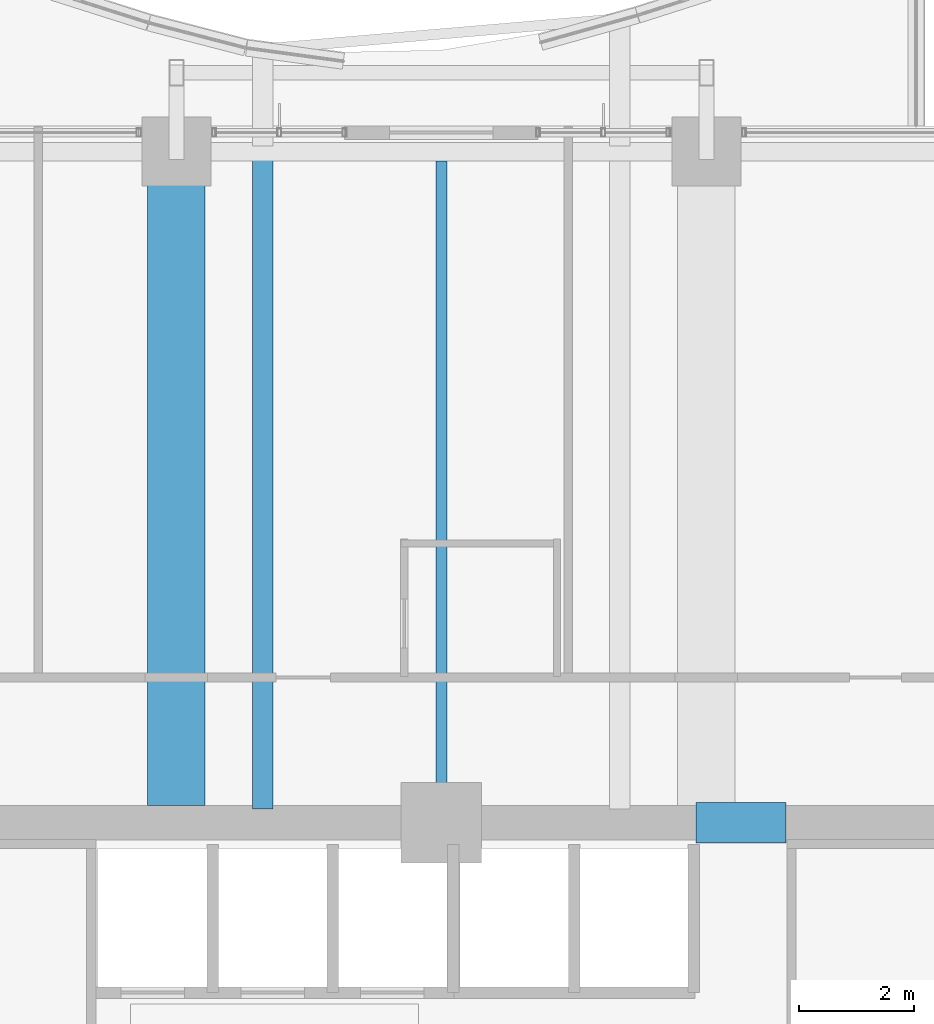
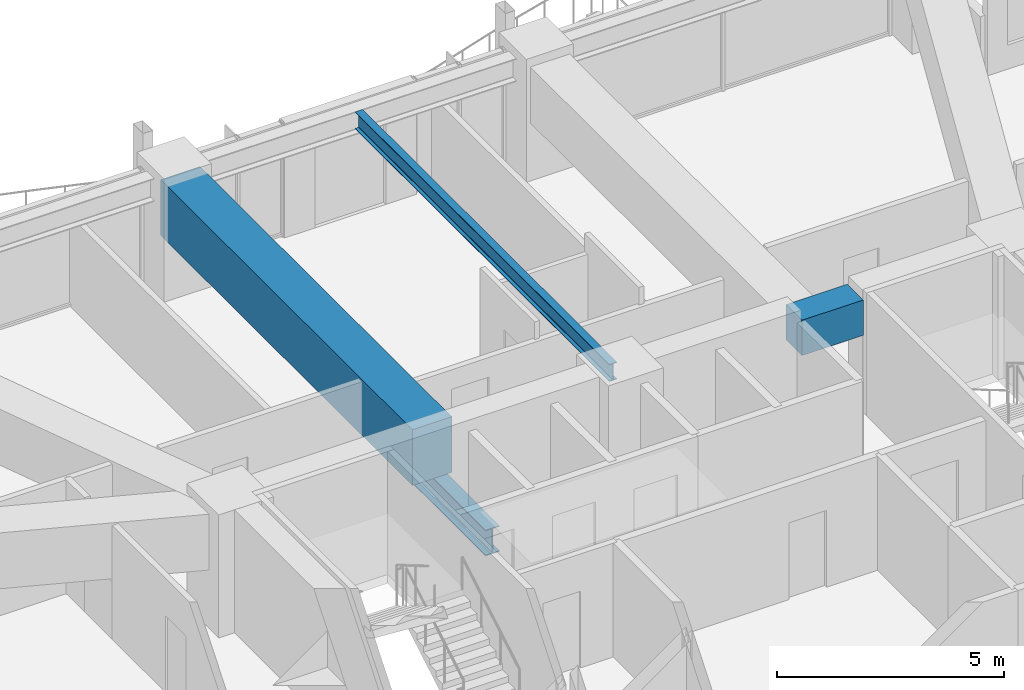
# One storey, part 19 of 37: 4 beams.
"""IFC4 building model written with IfcOpenShell, lengths in metres."""

from ifc_helpers import new_model, si_unit, direction, frame, origin, origin_2d, place, context, subcontext, project, spatial, rectangle, i_section, extrude, material, material_profile, profile_set, type_object, element, save


model = new_model("IFC4")

# Units and contexts
model_context = context("Model", 3, precision=1e-05, world=origin(), true_north=direction((0.0, 1.0)))
body_context = subcontext(model_context, "Body", "Model", "MODEL_VIEW")
ifc_project = project(units=[si_unit("LENGTHUNIT", "METRE"), si_unit("AREAUNIT", "SQUARE_METRE"), si_unit("VOLUMEUNIT", "CUBIC_METRE"), si_unit("PLANEANGLEUNIT", "RADIAN"), si_unit("MASSUNIT", "GRAM", prefix="KILO")], contexts=[model_context])

# Site, building, storey
site_placement = place(None, origin())
site = spatial("IfcSite", under=ifc_project, at=site_placement, CompositionType="ELEMENT")
building_placement = place(site_placement, origin())
building = spatial("IfcBuilding", under=site, at=building_placement, Name="Kolvaren Belvedere", CompositionType="ELEMENT")
storey_placement = place(building_placement, frame((0.0, 0.0, 43.60009765625)))
storey = spatial("IfcBuildingStorey", under=building, at=storey_placement, Name="L12", CompositionType="ELEMENT", Elevation=43.60009765625)

# Beams
ifc_material_1 = material(Name="Structural steel ASTM A992 Grade 50", Category="steel")
ifc_material_profile_1 = material_profile(ifc_material_1, i_section(OverallWidth=0.35498046875, OverallDepth=0.696044921875, WebThickness=0.015380859375, FlangeThickness=0.02490234375, FilletRadius=0.02197265625, at=origin_2d()), Name="W27X146")
ifc_profile_set_1 = profile_set([ifc_material_profile_1], Name="Structural steel ASTM A992 Grade 50")
beam_type_1 = type_object("IfcBeamType", Name="BM-GIRD-W27X146", PredefinedType="BEAM", material=ifc_profile_set_1)
beam_1_placement = place(storey_placement, frame((-3.10009765625, 10.139892578125, -0.588134765625), z_axis=(0.0, 1.0, 0.0), x_axis=(-1.0, 0.0, 0.0)))
element("IfcBeam", 1, at=beam_1_placement, inside=storey, type_object=beam_type_1, Name="L12 Balcony Interior Back-Span Girder BAL-N-1", PredefinedType="BEAM", context=body_context, shape_type="SweptSolid", body=[
    extrude(i_section(OverallWidth=0.35498046875, OverallDepth=0.696044921875, WebThickness=0.015380859375, FlangeThickness=0.02490234375, FilletRadius=0.02197265625, at=origin_2d()), origin(), (0.0, 0.0, 1.0), 11.315185546875),
])
ifc_material_2 = material(Name="Structural steel ASTM A992 Grade 50", Category="steel")
ifc_material_profile_2 = material_profile(ifc_material_2, i_section(OverallWidth=0.19091796875, OverallDepth=0.4599609375, WebThickness=0.010009765625, FlangeThickness=0.01611328125, FilletRadius=0.014892578125, at=origin_2d()), Name="W18X55")
ifc_profile_set_2 = profile_set([ifc_material_profile_2], Name="Structural steel ASTM A992 Grade 50")
beam_type_2 = type_object("IfcBeamType", Name="BM-JOIST-W18X55", PredefinedType="BEAM", material=ifc_profile_set_2)
beam_2_placement = place(storey_placement, frame((0.0, 10.199951171875, 2.829833984375), z_axis=(0.0, 1.0, 0.0), x_axis=(-1.0, 0.0, 0.0)))
element("IfcBeam", 2, at=beam_2_placement, inside=storey, type_object=beam_type_2, Name="L12 North Centre Floor Beam", PredefinedType="BEAM", context=body_context, shape_type="SweptSolid", body=[
    extrude(i_section(OverallWidth=0.19091796875, OverallDepth=0.4599609375, WebThickness=0.010009765625, FlangeThickness=0.01611328125, FilletRadius=0.014892578125, at=origin_2d()), origin(), (0.0, 0.0, 1.0), 11.1875),
])
ifc_material_3 = material(Name="Concrete C60/75", Category="concrete")
ifc_material_profile_3 = material_profile(ifc_material_3, rectangle(XDim=0.699951171875, YDim=0.949951171875, at=origin_2d()), Name="RC 700X950")
ifc_profile_set_3 = profile_set([ifc_material_profile_3], Name="Concrete C60/75")
beam_type_3 = type_object("IfcBeamType", Name="BM-LINT-950", PredefinedType="LINTEL", material=ifc_profile_set_3)
beam_3_placement = place(storey_placement, frame((4.419921875, 9.89990234375, 2.5849609375), z_axis=(1.0, 0.0, 0.0), x_axis=(0.0, 1.0, 0.0)))
element("IfcBeam", 3, at=beam_3_placement, inside=storey, type_object=beam_type_3, Name="L12 North Core Coupling Lintel", PredefinedType="LINTEL", context=body_context, shape_type="SweptSolid", body=[
    extrude(rectangle(XDim=0.699951171875, YDim=0.949951171875, at=origin_2d()), origin(), (0.0, 0.0, 1.0), 1.56005859375),
])
ifc_material_4 = material(Name="Concrete C50/60", Category="concrete")
ifc_material_profile_4 = material_profile(ifc_material_4, rectangle(XDim=1.0, YDim=1.5, at=origin_2d()), Name="RC 1000X1500")
ifc_profile_set_4 = profile_set([ifc_material_profile_4], Name="Concrete C50/60")
beam_type_4 = type_object("IfcBeamType", Name="BM-TG-1500", PredefinedType="BEAM", material=ifc_profile_set_4)
beam_4_placement = place(storey_placement, frame((-4.60009765625, 10.199951171875, 2.309814453125), z_axis=(0.0, 1.0, 0.0), x_axis=(-1.0, 0.0, 0.0)))
element("IfcBeam", 4, at=beam_4_placement, inside=storey, type_object=beam_type_4, Name="L12 North Radial Girder M", PredefinedType="BEAM", context=body_context, shape_type="SweptSolid", body=[
    extrude(rectangle(XDim=1.0, YDim=1.5, at=origin_2d()), origin(), (0.0, 0.0, 1.0), 11.080078125),
])

save(model, "model.ifc")
